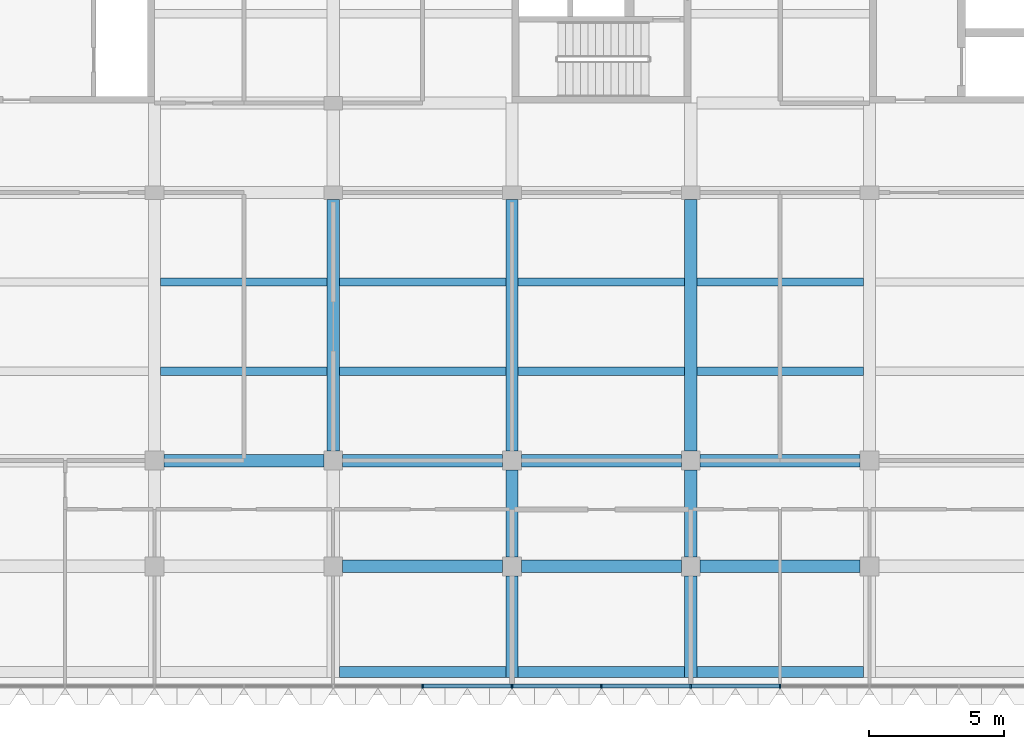
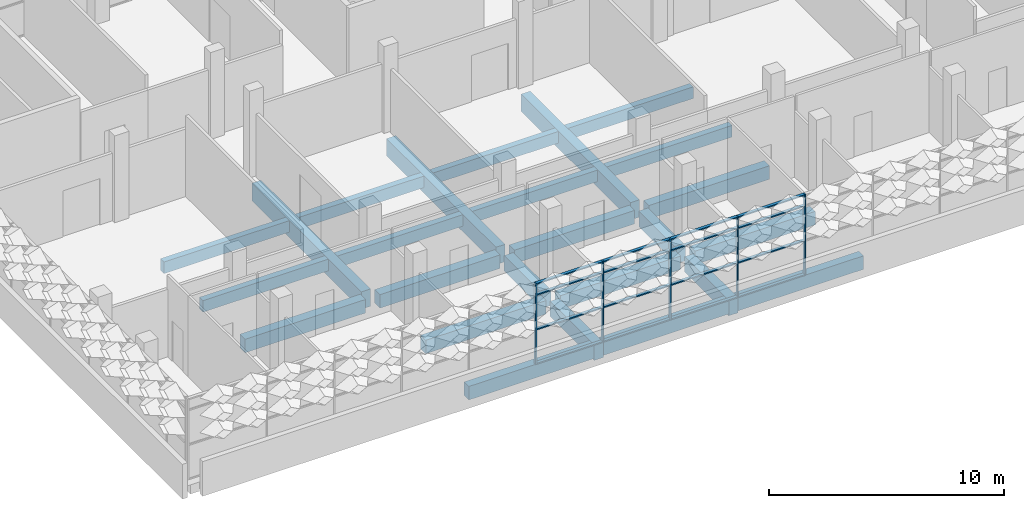
# One storey, part 3 of 85: 25 beams, 21 members, 1 element without a shape of its own.
"""IFC4 building model written with IfcOpenShell, lengths in metres."""

import ifcopenshell
import ifcopenshell.guid

model = None  # the IFC model being written
_history = None  # IfcOwnerHistory: only IFC2X3 demands one
_inside = {}  # id of a spatial element -> (the spatial element, [elements in it])
_under = {}  # id of a project, library or spatial element -> (it, [spatial elements below it])
_declared = {}  # id of a project -> (the project, [libraries it declares])
_typed = {}  # id of a type object -> (the type object, [elements of that type])
_made_of = {}  # id of a material, layer set ... -> (it, [elements and type objects made of it])


def new_model(schema):
    """Start an empty IFC model of exactly this schema.

    Asked for "IFC4X3", IfcOpenShell would pick the latest addendum, in which some entities
    have other attributes; the version numbers below select the first issue.
    IFC2X3 requires an IfcOwnerHistory on every rooted entity: one is made here for all.
    """
    global model, _history
    if schema == "IFC4X3":
        model = ifcopenshell.file(schema_version=(4, 3, 0, 0))
    else:
        model = ifcopenshell.file(schema=schema)
    _inside.clear()
    _under.clear()
    _declared.clear()
    _typed.clear()
    _made_of.clear()
    _history = None
    if model.schema == "IFC2X3":
        org = make("IfcOrganization", Name="unknown")
        user = make(
            "IfcPersonAndOrganization",
            ThePerson=make("IfcPerson", FamilyName="unknown"),
            TheOrganization=org,
        )
        app = make(
            "IfcApplication",
            ApplicationDeveloper=org,
            Version="unknown",
            ApplicationFullName="unknown",
            ApplicationIdentifier="unknown",
        )
        _history = make(
            "IfcOwnerHistory",
            OwningUser=user,
            OwningApplication=app,
            ChangeAction="ADDED",
            CreationDate=0,
        )
    return model


def make(cls, **values):
    """One entity of the class cls with the attributes given. An attribute that is None is left unset."""
    return model.create_entity(
        cls, **{name: value for name, value in values.items() if value is not None}
    )


def rooted(cls, **values):
    """An entity with a GlobalId (a new one), such as an element, a storey or a relation."""
    return make(cls, GlobalId=ifcopenshell.guid.new(), OwnerHistory=_history, **values)


def si_unit(unit_type, name, prefix=None):
    """IfcSIUnit, for example si_unit("LENGTHUNIT", "METRE", prefix="MILLI")."""
    return make("IfcSIUnit", UnitType=unit_type, Prefix=prefix, Name=name)


def assignment(units):
    """IfcUnitAssignment: the units of a project."""
    return None if units is None else make("IfcUnitAssignment", Units=units)


def point(xyz):
    """IfcCartesianPoint."""
    return None if xyz is None else make("IfcCartesianPoint", Coordinates=xyz)


def direction(xyz):
    """IfcDirection."""
    return None if xyz is None else make("IfcDirection", DirectionRatios=xyz)


def frame(location, z_axis=None, x_axis=None):
    """IfcAxis2Placement3D, a coordinate frame: its origin and axes. An axis left out is left unset."""
    return make(
        "IfcAxis2Placement3D",
        Location=point(location),
        Axis=direction(z_axis),
        RefDirection=direction(x_axis),
    )


def frame_2d(location, x_axis=None):
    """IfcAxis2Placement2D, a coordinate frame in the plane: its origin and x axis."""
    return make(
        "IfcAxis2Placement2D", Location=point(location), RefDirection=direction(x_axis)
    )


def origin():
    """The frame at (0, 0, 0) with its axes left unset."""
    return frame((0.0, 0.0, 0.0))


def origin_2d():
    """The frame at (0, 0) in the plane with its x axis left unset."""
    return frame_2d((0.0, 0.0))


def place(relative_to, where):
    """IfcLocalPlacement: puts the frame where relative to a parent placement (None: the world)."""
    return make(
        "IfcLocalPlacement", PlacementRelTo=relative_to, RelativePlacement=where
    )


def context(
    kind, dimensions, precision=None, world=None, true_north=None, identifier=None
):
    """IfcGeometricRepresentationContext, for example the 3D "Model" context."""
    return make(
        "IfcGeometricRepresentationContext",
        ContextIdentifier=identifier,
        ContextType=kind,
        CoordinateSpaceDimension=dimensions,
        Precision=precision,
        WorldCoordinateSystem=world,
        TrueNorth=true_north,
    )


def subcontext(parent, identifier, kind, view, scale=None):
    """IfcGeometricRepresentationSubContext, for example "Body" below "Model"."""
    return make(
        "IfcGeometricRepresentationSubContext",
        ContextIdentifier=identifier,
        ContextType=kind,
        ParentContext=parent,
        TargetScale=scale,
        TargetView=view,
    )


def project(units=None, contexts=None):
    """IfcProject with its units and contexts."""
    return rooted(
        "IfcProject",
        Name="project",
        RepresentationContexts=contexts,
        UnitsInContext=assignment(units),
    )


def spatial(cls, under=None, at=None, **own):
    """A site, building, storey or space (cls), placed at a placement, below another one or the project."""
    s = rooted(cls, ObjectPlacement=at, **own)
    if under is not None:
        _under.setdefault(under.id(), (under, []))[1].append(s)
    return s


def profile(cls, at=None, kind="AREA", **sizes):
    """A parametric profile (cls). Its sizes go by their IFC names, for example OverallWidth=200.0."""
    return make(cls, ProfileType=kind, Position=at, **sizes)


def rectangle(**sizes):
    """IfcRectangleProfileDef."""
    return profile("IfcRectangleProfileDef", **sizes)


def extrude(swept, where, along, depth):
    """IfcExtrudedAreaSolid: the profile swept, set in the frame where, extruded along a direction by depth."""
    return make(
        "IfcExtrudedAreaSolid",
        SweptArea=swept,
        Position=where,
        ExtrudedDirection=direction(along),
        Depth=depth,
    )


def shape(context_of_items, identifier, shape_type, items):
    """IfcShapeRepresentation: the items that make up one representation, for example the "Body"."""
    return make(
        "IfcShapeRepresentation",
        ContextOfItems=context_of_items,
        RepresentationIdentifier=identifier,
        RepresentationType=shape_type,
        Items=items,
    )


def material(Name=None, Category=None):
    """IfcMaterial."""
    return make("IfcMaterial", Name=Name, Category=Category)


def material_profile(
    of_material, cross_section, Name=None, Category=None, Priority=None
):
    """IfcMaterialProfile: a cross section and its material."""
    return make(
        "IfcMaterialProfile",
        Name=Name,
        Material=of_material,
        Profile=cross_section,
        Priority=Priority,
        Category=Category,
    )


def profile_set(profiles, Name=None, composite=None):
    """IfcMaterialProfileSet."""
    return make(
        "IfcMaterialProfileSet",
        Name=Name,
        MaterialProfiles=profiles,
        CompositeProfile=composite,
    )


def made_of(thing, what):
    """Note that an element or type object is made of a material, layer set ...; save() writes the relation."""
    if what is not None:
        _made_of.setdefault(what.id(), (what, []))[1].append(thing)
    return thing


def type_object(cls, material=None, **own):
    """A type object (cls), such as IfcWallType, which elements share."""
    return made_of(rooted(cls, **own), material)


def element(
    cls,
    number,
    at=None,
    inside=None,
    cuts=None,
    type_object=None,
    material=None,
    context=None,
    identifier="Body",
    shape_type=None,
    held_by="IfcProductDefinitionShape",
    body=None,
    shapes=None,
    **own,
):
    """One element of the class cls, such as IfcWall. Its Tag is "e" and its number.

    at: its placement. inside: the storey or other place that contains it. cuts: it is an
    opening in that element (IfcRelVoidsElement). A single representation is given by context,
    identifier, shape_type and body (its items); several are given by shapes. held_by: the class
    of the entity that holds the representations. save() writes the other relations.
    """
    e = rooted(cls, Tag="e%d" % number, ObjectPlacement=at, **own)
    if body is not None:
        shapes = [shape(context, identifier, shape_type, body)]
    if shapes is not None:
        e.Representation = make(held_by, Representations=shapes)
    if inside is not None:
        _inside.setdefault(inside.id(), (inside, []))[1].append(e)
    if cuts is not None:
        rooted(
            "IfcRelVoidsElement", RelatingBuildingElement=cuts, RelatedOpeningElement=e
        )
    if type_object is not None:
        _typed.setdefault(type_object.id(), (type_object, []))[1].append(e)
    return made_of(e, material)


def aggregate(whole, parts):
    """IfcRelAggregates: a whole, such as a stair, and the parts it consists of."""
    return rooted("IfcRelAggregates", RelatingObject=whole, RelatedObjects=parts)


def save(model, path):
    """Write the relations noted so far, then the file.

    IfcRelAggregates (storeys below a building ...), IfcRelContainedInSpatialStructure (elements
    in a storey), IfcRelDefinesByType, IfcRelAssociatesMaterial and IfcRelDeclares: one each for
    every whole, place, type object, material and project.
    """
    for whole, parts in _under.values():
        aggregate(whole, parts)
    for where, things in _inside.values():
        rooted(
            "IfcRelContainedInSpatialStructure",
            RelatedElements=things,
            RelatingStructure=where,
        )
    for kind, things in _typed.values():
        rooted("IfcRelDefinesByType", RelatedObjects=things, RelatingType=kind)
    for what, things in _made_of.values():
        rooted("IfcRelAssociatesMaterial", RelatedObjects=things, RelatingMaterial=what)
    for by, libraries in _declared.values():
        rooted("IfcRelDeclares", RelatingContext=by, RelatedDefinitions=libraries)
    model.write(path)


model = new_model("IFC4")

# Units and contexts
model_context = context("Model", 3, precision=1e-05, world=origin(), true_north=direction((0.0, 1.0)))
body_context = subcontext(model_context, "Body", "Model", "MODEL_VIEW")
ifc_project = project(units=[si_unit("LENGTHUNIT", "METRE"), si_unit("AREAUNIT", "SQUARE_METRE"), si_unit("VOLUMEUNIT", "CUBIC_METRE"), si_unit("PLANEANGLEUNIT", "RADIAN"), si_unit("MASSUNIT", "GRAM", prefix="KILO")], contexts=[model_context])

# Site, building, storey
site_placement = place(None, origin())
site = spatial("IfcSite", under=ifc_project, at=site_placement, CompositionType="ELEMENT")
building_placement = place(site_placement, origin())
building = spatial("IfcBuilding", under=site, at=building_placement, Name="Lantern Court Research Institute", CompositionType="ELEMENT")
storey_placement = place(building_placement, frame((0.0, 0.0, 18.89990234375)))
storey = spatial("IfcBuildingStorey", under=building, at=storey_placement, Name="L04", CompositionType="ELEMENT", Elevation=18.89990234375)

# Curtain wall, members
ifc_material_1 = material(Name="Aluminium alloy 6063-T6", Category="aluminium")
curtain_wall_type = type_object("IfcCurtainWallType", Name="Curtain wall 53400 x 4200 x 150 aluminium frame", PredefinedType="NOTDEFINED", material=ifc_material_1)
curtain_wall_placement = place(storey_placement, origin())
curtain_wall = element("IfcCurtainWall", 1, at=curtain_wall_placement, inside=storey, type_object=curtain_wall_type, Name="Curtain wall CW063", PredefinedType="NOTDEFINED")
ifc_material_2 = material(Name="Aluminium alloy 6063-T6", Category="aluminium")
ifc_material_profile_1 = material_profile(ifc_material_2, rectangle(XDim=0.14990234375, YDim=0.06005859375, at=origin_2d()), Name="Mullion 150 x 60")
ifc_profile_set_1 = profile_set([ifc_material_profile_1], Name="Aluminium alloy 6063-T6")
member_type_1 = type_object("IfcMemberType", Name="Mullion 150 x 60 aluminium", PredefinedType="MULLION", material=ifc_profile_set_1)
member_1_placement = place(storey_placement, frame((16.5, -8.324951171875, 0.0), z_axis=(0.0, 0.0, 1.0), x_axis=(0.0, -1.0, 0.0)))
member_1 = element("IfcMember", 2, at=member_1_placement, type_object=member_type_1, Name="CW063 mullion 6", PredefinedType="MULLION", context=body_context, shape_type="SweptSolid", body=[
    extrude(rectangle(XDim=0.14990234375, YDim=0.06005859375, at=origin_2d()), origin(), (0.0, 0.0, 1.0), 4.2001953125),
])
member_2_placement = place(storey_placement, frame((19.800048828125, -8.324951171875, 0.0), z_axis=(0.0, 0.0, 1.0), x_axis=(0.0, -1.0, 0.0)))
member_2 = element("IfcMember", 3, at=member_2_placement, type_object=member_type_1, Name="CW063 mullion 7", PredefinedType="MULLION", context=body_context, shape_type="SweptSolid", body=[
    extrude(rectangle(XDim=0.14990234375, YDim=0.06005859375, at=origin_2d()), origin(), (0.0, 0.0, 1.0), 4.2001953125),
])
member_3_placement = place(storey_placement, frame((23.10009765625, -8.324951171875, 0.0), z_axis=(0.0, 0.0, 1.0), x_axis=(0.0, -1.0, 0.0)))
member_3 = element("IfcMember", 4, at=member_3_placement, type_object=member_type_1, Name="CW063 mullion 8", PredefinedType="MULLION", context=body_context, shape_type="SweptSolid", body=[
    extrude(rectangle(XDim=0.14990234375, YDim=0.06005859375, at=origin_2d()), origin(), (0.0, 0.0, 1.0), 4.2001953125),
])
member_4_placement = place(storey_placement, frame((26.39990234375, -8.324951171875, 0.0), z_axis=(0.0, 0.0, 1.0), x_axis=(0.0, -1.0, 0.0)))
member_4 = element("IfcMember", 5, at=member_4_placement, type_object=member_type_1, Name="CW063 mullion 9", PredefinedType="MULLION", context=body_context, shape_type="SweptSolid", body=[
    extrude(rectangle(XDim=0.14990234375, YDim=0.06005859375, at=origin_2d()), origin(), (0.0, 0.0, 1.0), 4.2001953125),
])
member_5_placement = place(storey_placement, frame((29.699951171875, -8.324951171875, 0.0), z_axis=(0.0, 0.0, 1.0), x_axis=(0.0, -1.0, 0.0)))
member_5 = element("IfcMember", 6, at=member_5_placement, type_object=member_type_1, Name="CW063 mullion 10", PredefinedType="MULLION", context=body_context, shape_type="SweptSolid", body=[
    extrude(rectangle(XDim=0.14990234375, YDim=0.06005859375, at=origin_2d()), origin(), (0.0, 0.0, 1.0), 4.2001953125),
])

# Beams
ifc_material_3 = material(Name="Concrete C40/50", Category="concrete")
ifc_material_profile_2 = material_profile(ifc_material_3, rectangle(XDim=0.449951171875, YDim=0.699951171875, at=origin_2d()), Name="RC beam 450 x 700")
ifc_profile_set_2 = profile_set([ifc_material_profile_2], Name="Concrete C40/50")
beam_type_1 = type_object("IfcBeamType", Name="RC beam 450 x 700", PredefinedType="BEAM", material=ifc_profile_set_2)
beam_1_placement = place(storey_placement, frame((13.550048828125, -3.89990234375, -0.64990234375), z_axis=(1.0, 0.0, 0.0), x_axis=(0.0, 1.0, 0.0)))
element("IfcBeam", 7, at=beam_1_placement, inside=storey, type_object=beam_type_1, Name="Beam L04 grid Y/3-4", PredefinedType="BEAM", context=body_context, shape_type="SweptSolid", body=[
    extrude(rectangle(XDim=0.449951171875, YDim=0.699951171875, at=origin_2d()), origin(), (0.0, 0.0, 1.0), 5.89990234375),
])
beam_2_placement = place(storey_placement, frame((20.14990234375, -3.89990234375, -0.64990234375), z_axis=(1.0, 0.0, 0.0), x_axis=(0.0, 1.0, 0.0)))
element("IfcBeam", 8, at=beam_2_placement, inside=storey, type_object=beam_type_1, Name="Beam L04 grid Y/4-5", PredefinedType="BEAM", context=body_context, shape_type="SweptSolid", body=[
    extrude(rectangle(XDim=0.449951171875, YDim=0.699951171875, at=origin_2d()), origin(), (0.0, 0.0, 1.0), 5.900146484375),
])
beam_3_placement = place(storey_placement, frame((26.75, -3.89990234375, -0.64990234375), z_axis=(1.0, 0.0, 0.0), x_axis=(0.0, 1.0, 0.0)))
element("IfcBeam", 9, at=beam_3_placement, inside=storey, type_object=beam_type_1, Name="Beam L04 grid Y/5-6", PredefinedType="BEAM", context=body_context, shape_type="SweptSolid", body=[
    extrude(rectangle(XDim=0.449951171875, YDim=0.699951171875, at=origin_2d()), origin(), (0.0, 0.0, 1.0), 5.89990234375),
])
beam_4_placement = place(storey_placement, frame((6.949951171875, 0.0, -0.64990234375), z_axis=(1.0, 0.0, 0.0), x_axis=(0.0, 1.0, 0.0)))
element("IfcBeam", 10, at=beam_4_placement, inside=storey, type_object=beam_type_1, Name="Beam L04 grid A/2-3", PredefinedType="BEAM", context=body_context, shape_type="SweptSolid", body=[
    extrude(rectangle(XDim=0.449951171875, YDim=0.699951171875, at=origin_2d()), origin(), (0.0, 0.0, 1.0), 5.900146484375),
])
beam_5_placement = place(storey_placement, frame((13.550048828125, 0.0, -0.64990234375), z_axis=(1.0, 0.0, 0.0), x_axis=(0.0, 1.0, 0.0)))
element("IfcBeam", 11, at=beam_5_placement, inside=storey, type_object=beam_type_1, Name="Beam L04 grid A/3-4", PredefinedType="BEAM", context=body_context, shape_type="SweptSolid", body=[
    extrude(rectangle(XDim=0.449951171875, YDim=0.699951171875, at=origin_2d()), origin(), (0.0, 0.0, 1.0), 5.89990234375),
])
beam_6_placement = place(storey_placement, frame((20.14990234375, 0.0, -0.64990234375), z_axis=(1.0, 0.0, 0.0), x_axis=(0.0, 1.0, 0.0)))
element("IfcBeam", 12, at=beam_6_placement, inside=storey, type_object=beam_type_1, Name="Beam L04 grid A/4-5", PredefinedType="BEAM", context=body_context, shape_type="SweptSolid", body=[
    extrude(rectangle(XDim=0.449951171875, YDim=0.699951171875, at=origin_2d()), origin(), (0.0, 0.0, 1.0), 5.900146484375),
])
beam_7_placement = place(storey_placement, frame((26.75, 0.0, -0.64990234375), z_axis=(1.0, 0.0, 0.0), x_axis=(0.0, 1.0, 0.0)))
element("IfcBeam", 13, at=beam_7_placement, inside=storey, type_object=beam_type_1, Name="Beam L04 grid A/5-6", PredefinedType="BEAM", context=body_context, shape_type="SweptSolid", body=[
    extrude(rectangle(XDim=0.449951171875, YDim=0.699951171875, at=origin_2d()), origin(), (0.0, 0.0, 1.0), 5.89990234375),
])
ifc_material_4 = material(Name="Concrete C40/50", Category="concrete")
ifc_material_profile_3 = material_profile(ifc_material_4, rectangle(XDim=0.449951171875, YDim=0.800048828125, at=origin_2d()), Name="RC beam 450 x 800")
ifc_profile_set_3 = profile_set([ifc_material_profile_3], Name="Concrete C40/50")
beam_type_2 = type_object("IfcBeamType", Name="RC cantilever beam 450 x 800", PredefinedType="BEAM", material=ifc_profile_set_3)
for number, where, z_axis, x_axis, name in (
    (14, (19.800048828125, -4.25, -0.699951171875), (0.0, -1.0, 0.0), (1.0, 0.0, 0.0), "Cantilever beam L04 grid 4/Y-tip"),
    (15, (26.39990234375, -4.25, -0.699951171875), (0.0, -1.0, 0.0), (1.0, 0.0, 0.0), "Cantilever beam L04 grid 5/Y-tip"),
):
    element("IfcBeam", number, at=place(storey_placement, frame(where, z_axis=z_axis, x_axis=x_axis)), inside=storey, type_object=beam_type_2, Name=name, PredefinedType="BEAM", context=body_context, shape_type="SweptSolid", body=[
        extrude(rectangle(XDim=0.449951171875, YDim=0.800048828125, at=origin_2d()), origin(), (0.0, 0.0, 1.0), 3.75),
    ])
ifc_material_5 = material(Name="Concrete C40/50", Category="concrete")
ifc_material_profile_4 = material_profile(ifc_material_5, rectangle(XDim=0.39990234375, YDim=0.699951171875, at=origin_2d()), Name="RC beam 400 x 700")
ifc_profile_set_4 = profile_set([ifc_material_profile_4], Name="Concrete C40/50")
beam_type_3 = type_object("IfcBeamType", Name="RC edge beam 400 x 700", PredefinedType="BEAM", material=ifc_profile_set_4)
beam_8_placement = place(storey_placement, frame((13.425048828125, -7.800048828125, -0.64990234375), z_axis=(1.0, 0.0, 0.0), x_axis=(0.0, 1.0, 0.0)))
element("IfcBeam", 16, at=beam_8_placement, inside=storey, type_object=beam_type_3, Name="Edge beam L04 grid tip/3-4", PredefinedType="BEAM", context=body_context, shape_type="SweptSolid", body=[
    extrude(rectangle(XDim=0.39990234375, YDim=0.699951171875, at=origin_2d()), origin(), (0.0, 0.0, 1.0), 6.14990234375),
])
beam_9_placement = place(storey_placement, frame((20.02490234375, -7.800048828125, -0.64990234375), z_axis=(1.0, 0.0, 0.0), x_axis=(0.0, 1.0, 0.0)))
element("IfcBeam", 17, at=beam_9_placement, inside=storey, type_object=beam_type_3, Name="Edge beam L04 grid tip/4-5", PredefinedType="BEAM", context=body_context, shape_type="SweptSolid", body=[
    extrude(rectangle(XDim=0.39990234375, YDim=0.699951171875, at=origin_2d()), origin(), (0.0, 0.0, 1.0), 6.150146484375),
])
beam_10_placement = place(storey_placement, frame((26.625, -7.800048828125, -0.64990234375), z_axis=(1.0, 0.0, 0.0), x_axis=(0.0, 1.0, 0.0)))
element("IfcBeam", 18, at=beam_10_placement, inside=storey, type_object=beam_type_3, Name="Edge beam L04 grid tip/5-6", PredefinedType="BEAM", context=body_context, shape_type="SweptSolid", body=[
    extrude(rectangle(XDim=0.39990234375, YDim=0.699951171875, at=origin_2d()), origin(), (0.0, 0.0, 1.0), 6.14990234375),
])
ifc_material_6 = material(Name="Concrete C40/50", Category="concrete")
ifc_material_profile_5 = material_profile(ifc_material_6, rectangle(XDim=0.449951171875, YDim=0.800048828125, at=origin_2d()), Name="RC beam 450 x 800")
ifc_profile_set_5 = profile_set([ifc_material_profile_5], Name="Concrete C40/50")
beam_type_4 = type_object("IfcBeamType", Name="RC girder 450 x 800", PredefinedType="BEAM", material=ifc_profile_set_5)
for number, where, z_axis, x_axis, name in (
    (19, (19.800048828125, -3.550048828125, -0.699951171875), (0.0, 1.0, 0.0), (-1.0, 0.0, 0.0), "Girder L04 grid 4/Y-A"),
    (20, (26.39990234375, -3.550048828125, -0.699951171875), (0.0, 1.0, 0.0), (-1.0, 0.0, 0.0), "Girder L04 grid 5/Y-A"),
):
    element("IfcBeam", number, at=place(storey_placement, frame(where, z_axis=z_axis, x_axis=x_axis)), inside=storey, type_object=beam_type_4, Name=name, PredefinedType="BEAM", context=body_context, shape_type="SweptSolid", body=[
        extrude(rectangle(XDim=0.449951171875, YDim=0.800048828125, at=origin_2d()), origin(), (0.0, 0.0, 1.0), 3.199951171875),
    ])
ifc_material_7 = material(Name="Concrete C40/50", Category="concrete")
ifc_material_profile_6 = material_profile(ifc_material_7, rectangle(XDim=0.449951171875, YDim=0.89990234375, at=origin_2d()), Name="RC beam 450 x 900")
ifc_profile_set_6 = profile_set([ifc_material_profile_6], Name="Concrete C40/50")
beam_type_5 = type_object("IfcBeamType", Name="RC girder 450 x 900", PredefinedType="BEAM", material=ifc_profile_set_6)
for number, where, z_axis, x_axis, name in (
    (21, (13.199951171875, 0.35009765625, -0.75), (0.0, 1.0, 0.0), (-1.0, 0.0, 0.0), "Girder L04 grid 3/A-B"),
    (22, (19.800048828125, 0.35009765625, -0.75), (0.0, 1.0, 0.0), (-1.0, 0.0, 0.0), "Girder L04 grid 4/A-B"),
    (23, (26.39990234375, 0.35009765625, -0.75), (0.0, 1.0, 0.0), (-1.0, 0.0, 0.0), "Girder L04 grid 5/A-B"),
):
    element("IfcBeam", number, at=place(storey_placement, frame(where, z_axis=z_axis, x_axis=x_axis)), inside=storey, type_object=beam_type_5, Name=name, PredefinedType="BEAM", context=body_context, shape_type="SweptSolid", body=[
        extrude(rectangle(XDim=0.449951171875, YDim=0.89990234375, at=origin_2d()), origin(), (0.0, 0.0, 1.0), 9.2998046875),
    ])
ifc_material_8 = material(Name="Concrete C40/50", Category="concrete")
ifc_material_profile_7 = material_profile(ifc_material_8, rectangle(XDim=0.300048828125, YDim=0.60009765625, at=origin_2d()), Name="RC beam 300 x 600")
ifc_profile_set_7 = profile_set([ifc_material_profile_7], Name="Concrete C40/50")
beam_type_6 = type_object("IfcBeamType", Name="RC secondary beam 300 x 600", PredefinedType="BEAM", material=ifc_profile_set_7)
beam_11_placement = place(storey_placement, frame((6.824951171875, 3.300048828125, -0.599853515625), z_axis=(1.0, 0.0, 0.0), x_axis=(0.0, 1.0, 0.0)))
element("IfcBeam", 24, at=beam_11_placement, inside=storey, type_object=beam_type_6, Name="Secondary beam L04 grids 2-3 / A-B, line 1", PredefinedType="BEAM", context=body_context, shape_type="SweptSolid", body=[
    extrude(rectangle(XDim=0.300048828125, YDim=0.60009765625, at=origin_2d()), origin(), (0.0, 0.0, 1.0), 6.150146484375),
])
beam_12_placement = place(storey_placement, frame((13.425048828125, 3.300048828125, -0.599853515625), z_axis=(1.0, 0.0, 0.0), x_axis=(0.0, 1.0, 0.0)))
element("IfcBeam", 25, at=beam_12_placement, inside=storey, type_object=beam_type_6, Name="Secondary beam L04 grids 3-4 / A-B, line 1", PredefinedType="BEAM", context=body_context, shape_type="SweptSolid", body=[
    extrude(rectangle(XDim=0.300048828125, YDim=0.60009765625, at=origin_2d()), origin(), (0.0, 0.0, 1.0), 6.14990234375),
])
beam_13_placement = place(storey_placement, frame((20.02490234375, 3.300048828125, -0.599853515625), z_axis=(1.0, 0.0, 0.0), x_axis=(0.0, 1.0, 0.0)))
element("IfcBeam", 26, at=beam_13_placement, inside=storey, type_object=beam_type_6, Name="Secondary beam L04 grids 4-5 / A-B, line 1", PredefinedType="BEAM", context=body_context, shape_type="SweptSolid", body=[
    extrude(rectangle(XDim=0.300048828125, YDim=0.60009765625, at=origin_2d()), origin(), (0.0, 0.0, 1.0), 6.150146484375),
])
beam_14_placement = place(storey_placement, frame((26.625, 3.300048828125, -0.599853515625), z_axis=(1.0, 0.0, 0.0), x_axis=(0.0, 1.0, 0.0)))
element("IfcBeam", 27, at=beam_14_placement, inside=storey, type_object=beam_type_6, Name="Secondary beam L04 grids 5-6 / A-B, line 1", PredefinedType="BEAM", context=body_context, shape_type="SweptSolid", body=[
    extrude(rectangle(XDim=0.300048828125, YDim=0.60009765625, at=origin_2d()), origin(), (0.0, 0.0, 1.0), 6.14990234375),
])
beam_15_placement = place(storey_placement, frame((6.824951171875, 6.60009765625, -0.599853515625), z_axis=(1.0, 0.0, 0.0), x_axis=(0.0, 1.0, 0.0)))
element("IfcBeam", 28, at=beam_15_placement, inside=storey, type_object=beam_type_6, Name="Secondary beam L04 grids 2-3 / A-B, line 2", PredefinedType="BEAM", context=body_context, shape_type="SweptSolid", body=[
    extrude(rectangle(XDim=0.300048828125, YDim=0.60009765625, at=origin_2d()), origin(), (0.0, 0.0, 1.0), 6.150146484375),
])
beam_16_placement = place(storey_placement, frame((13.425048828125, 6.60009765625, -0.599853515625), z_axis=(1.0, 0.0, 0.0), x_axis=(0.0, 1.0, 0.0)))
element("IfcBeam", 29, at=beam_16_placement, inside=storey, type_object=beam_type_6, Name="Secondary beam L04 grids 3-4 / A-B, line 2", PredefinedType="BEAM", context=body_context, shape_type="SweptSolid", body=[
    extrude(rectangle(XDim=0.300048828125, YDim=0.60009765625, at=origin_2d()), origin(), (0.0, 0.0, 1.0), 6.14990234375),
])
beam_17_placement = place(storey_placement, frame((20.02490234375, 6.60009765625, -0.599853515625), z_axis=(1.0, 0.0, 0.0), x_axis=(0.0, 1.0, 0.0)))
element("IfcBeam", 30, at=beam_17_placement, inside=storey, type_object=beam_type_6, Name="Secondary beam L04 grids 4-5 / A-B, line 2", PredefinedType="BEAM", context=body_context, shape_type="SweptSolid", body=[
    extrude(rectangle(XDim=0.300048828125, YDim=0.60009765625, at=origin_2d()), origin(), (0.0, 0.0, 1.0), 6.150146484375),
])
beam_18_placement = place(storey_placement, frame((26.625, 6.60009765625, -0.599853515625), z_axis=(1.0, 0.0, 0.0), x_axis=(0.0, 1.0, 0.0)))
element("IfcBeam", 31, at=beam_18_placement, inside=storey, type_object=beam_type_6, Name="Secondary beam L04 grids 5-6 / A-B, line 2", PredefinedType="BEAM", context=body_context, shape_type="SweptSolid", body=[
    extrude(rectangle(XDim=0.300048828125, YDim=0.60009765625, at=origin_2d()), origin(), (0.0, 0.0, 1.0), 6.14990234375),
])

# Member
ifc_material_9 = material(Name="Aluminium alloy 6063-T6", Category="aluminium")
ifc_material_profile_8 = material_profile(ifc_material_9, rectangle(XDim=0.14990234375, YDim=0.06005859375, at=origin_2d()), Name="Transom 150 x 60")
ifc_profile_set_8 = profile_set([ifc_material_profile_8], Name="Aluminium alloy 6063-T6")
member_type_2 = type_object("IfcMemberType", Name="Transom 150 x 60 aluminium", PredefinedType="USERDEFINED", material=ifc_profile_set_8)
member_6_placement = place(storey_placement, frame((19.77001953125, -8.324951171875, 0.030029296875), z_axis=(-1.0, 0.0, 0.0), x_axis=(0.0, -1.0, 0.0)))
member_6 = element("IfcMember", 32, at=member_6_placement, type_object=member_type_2, Name="CW063 transom 6.1", ObjectType="TRANSOM", PredefinedType="USERDEFINED", context=body_context, shape_type="SweptSolid", body=[
    extrude(rectangle(XDim=0.14990234375, YDim=0.06005859375, at=origin_2d()), origin(), (0.0, 0.0, 1.0), 3.239990234375),
])

member_7_placement = place(storey_placement, frame((19.77001953125, -8.324951171875, 1.800048828125), z_axis=(-1.0, 0.0, 0.0), x_axis=(0.0, -1.0, 0.0)))
member_7 = element("IfcMember", 33, at=member_7_placement, type_object=member_type_2, Name="CW063 transom 6.2", ObjectType="TRANSOM", PredefinedType="USERDEFINED", context=body_context, shape_type="SweptSolid", body=[
    extrude(rectangle(XDim=0.14990234375, YDim=0.06005859375, at=origin_2d()), origin(), (0.0, 0.0, 1.0), 3.239990234375),
])

member_8_placement = place(storey_placement, frame((19.77001953125, -8.324951171875, 3.60009765625), z_axis=(-1.0, 0.0, 0.0), x_axis=(0.0, -1.0, 0.0)))
member_8 = element("IfcMember", 34, at=member_8_placement, type_object=member_type_2, Name="CW063 transom 6.3", ObjectType="TRANSOM", PredefinedType="USERDEFINED", context=body_context, shape_type="SweptSolid", body=[
    extrude(rectangle(XDim=0.14990234375, YDim=0.06005859375, at=origin_2d()), origin(), (0.0, 0.0, 1.0), 3.239990234375),
])

member_9_placement = place(storey_placement, frame((19.77001953125, -8.324951171875, 4.170166015625), z_axis=(-1.0, 0.0, 0.0), x_axis=(0.0, -1.0, 0.0)))
member_9 = element("IfcMember", 35, at=member_9_placement, type_object=member_type_2, Name="CW063 transom 6.4", ObjectType="TRANSOM", PredefinedType="USERDEFINED", context=body_context, shape_type="SweptSolid", body=[
    extrude(rectangle(XDim=0.14990234375, YDim=0.06005859375, at=origin_2d()), origin(), (0.0, 0.0, 1.0), 3.239990234375),
])

member_10_placement = place(storey_placement, frame((23.070068359375, -8.324951171875, 0.030029296875), z_axis=(-1.0, 0.0, 0.0), x_axis=(0.0, -1.0, 0.0)))
member_10 = element("IfcMember", 36, at=member_10_placement, type_object=member_type_2, Name="CW063 transom 7.1", ObjectType="TRANSOM", PredefinedType="USERDEFINED", context=body_context, shape_type="SweptSolid", body=[
    extrude(rectangle(XDim=0.14990234375, YDim=0.06005859375, at=origin_2d()), origin(), (0.0, 0.0, 1.0), 3.239990234375),
])

member_11_placement = place(storey_placement, frame((23.070068359375, -8.324951171875, 1.800048828125), z_axis=(-1.0, 0.0, 0.0), x_axis=(0.0, -1.0, 0.0)))
member_11 = element("IfcMember", 37, at=member_11_placement, type_object=member_type_2, Name="CW063 transom 7.2", ObjectType="TRANSOM", PredefinedType="USERDEFINED", context=body_context, shape_type="SweptSolid", body=[
    extrude(rectangle(XDim=0.14990234375, YDim=0.06005859375, at=origin_2d()), origin(), (0.0, 0.0, 1.0), 3.239990234375),
])

member_12_placement = place(storey_placement, frame((23.070068359375, -8.324951171875, 3.60009765625), z_axis=(-1.0, 0.0, 0.0), x_axis=(0.0, -1.0, 0.0)))
member_12 = element("IfcMember", 38, at=member_12_placement, type_object=member_type_2, Name="CW063 transom 7.3", ObjectType="TRANSOM", PredefinedType="USERDEFINED", context=body_context, shape_type="SweptSolid", body=[
    extrude(rectangle(XDim=0.14990234375, YDim=0.06005859375, at=origin_2d()), origin(), (0.0, 0.0, 1.0), 3.239990234375),
])

member_13_placement = place(storey_placement, frame((23.070068359375, -8.324951171875, 4.170166015625), z_axis=(-1.0, 0.0, 0.0), x_axis=(0.0, -1.0, 0.0)))
member_13 = element("IfcMember", 39, at=member_13_placement, type_object=member_type_2, Name="CW063 transom 7.4", ObjectType="TRANSOM", PredefinedType="USERDEFINED", context=body_context, shape_type="SweptSolid", body=[
    extrude(rectangle(XDim=0.14990234375, YDim=0.06005859375, at=origin_2d()), origin(), (0.0, 0.0, 1.0), 3.239990234375),
])

member_14_placement = place(storey_placement, frame((26.3701171875, -8.324951171875, 0.030029296875), z_axis=(-1.0, 0.0, 0.0), x_axis=(0.0, -1.0, 0.0)))
member_14 = element("IfcMember", 40, at=member_14_placement, type_object=member_type_2, Name="CW063 transom 8.1", ObjectType="TRANSOM", PredefinedType="USERDEFINED", context=body_context, shape_type="SweptSolid", body=[
    extrude(rectangle(XDim=0.14990234375, YDim=0.06005859375, at=origin_2d()), origin(), (0.0, 0.0, 1.0), 3.240234375),
])

member_15_placement = place(storey_placement, frame((26.3701171875, -8.324951171875, 1.800048828125), z_axis=(-1.0, 0.0, 0.0), x_axis=(0.0, -1.0, 0.0)))
member_15 = element("IfcMember", 41, at=member_15_placement, type_object=member_type_2, Name="CW063 transom 8.2", ObjectType="TRANSOM", PredefinedType="USERDEFINED", context=body_context, shape_type="SweptSolid", body=[
    extrude(rectangle(XDim=0.14990234375, YDim=0.06005859375, at=origin_2d()), origin(), (0.0, 0.0, 1.0), 3.240234375),
])

member_16_placement = place(storey_placement, frame((26.3701171875, -8.324951171875, 3.60009765625), z_axis=(-1.0, 0.0, 0.0), x_axis=(0.0, -1.0, 0.0)))
member_16 = element("IfcMember", 42, at=member_16_placement, type_object=member_type_2, Name="CW063 transom 8.3", ObjectType="TRANSOM", PredefinedType="USERDEFINED", context=body_context, shape_type="SweptSolid", body=[
    extrude(rectangle(XDim=0.14990234375, YDim=0.06005859375, at=origin_2d()), origin(), (0.0, 0.0, 1.0), 3.240234375),
])

member_17_placement = place(storey_placement, frame((26.3701171875, -8.324951171875, 4.170166015625), z_axis=(-1.0, 0.0, 0.0), x_axis=(0.0, -1.0, 0.0)))
member_17 = element("IfcMember", 43, at=member_17_placement, type_object=member_type_2, Name="CW063 transom 8.4", ObjectType="TRANSOM", PredefinedType="USERDEFINED", context=body_context, shape_type="SweptSolid", body=[
    extrude(rectangle(XDim=0.14990234375, YDim=0.06005859375, at=origin_2d()), origin(), (0.0, 0.0, 1.0), 3.240234375),
])

member_18_placement = place(storey_placement, frame((29.669921875, -8.324951171875, 0.030029296875), z_axis=(-1.0, 0.0, 0.0), x_axis=(0.0, -1.0, 0.0)))
member_18 = element("IfcMember", 44, at=member_18_placement, type_object=member_type_2, Name="CW063 transom 9.1", ObjectType="TRANSOM", PredefinedType="USERDEFINED", context=body_context, shape_type="SweptSolid", body=[
    extrude(rectangle(XDim=0.14990234375, YDim=0.06005859375, at=origin_2d()), origin(), (0.0, 0.0, 1.0), 3.239990234375),
])

member_19_placement = place(storey_placement, frame((29.669921875, -8.324951171875, 1.800048828125), z_axis=(-1.0, 0.0, 0.0), x_axis=(0.0, -1.0, 0.0)))
member_19 = element("IfcMember", 45, at=member_19_placement, type_object=member_type_2, Name="CW063 transom 9.2", ObjectType="TRANSOM", PredefinedType="USERDEFINED", context=body_context, shape_type="SweptSolid", body=[
    extrude(rectangle(XDim=0.14990234375, YDim=0.06005859375, at=origin_2d()), origin(), (0.0, 0.0, 1.0), 3.239990234375),
])

member_20_placement = place(storey_placement, frame((29.669921875, -8.324951171875, 3.60009765625), z_axis=(-1.0, 0.0, 0.0), x_axis=(0.0, -1.0, 0.0)))
member_20 = element("IfcMember", 46, at=member_20_placement, type_object=member_type_2, Name="CW063 transom 9.3", ObjectType="TRANSOM", PredefinedType="USERDEFINED", context=body_context, shape_type="SweptSolid", body=[
    extrude(rectangle(XDim=0.14990234375, YDim=0.06005859375, at=origin_2d()), origin(), (0.0, 0.0, 1.0), 3.239990234375),
])

member_21_placement = place(storey_placement, frame((29.669921875, -8.324951171875, 4.170166015625), z_axis=(-1.0, 0.0, 0.0), x_axis=(0.0, -1.0, 0.0)))
member_21 = element("IfcMember", 47, at=member_21_placement, type_object=member_type_2, Name="CW063 transom 9.4", ObjectType="TRANSOM", PredefinedType="USERDEFINED", context=body_context, shape_type="SweptSolid", body=[
    extrude(rectangle(XDim=0.14990234375, YDim=0.06005859375, at=origin_2d()), origin(), (0.0, 0.0, 1.0), 3.239990234375),
])

aggregate(curtain_wall, [member_1, member_2, member_3, member_4, member_5, member_6, member_7, member_8, member_9, member_10, member_11, member_12, member_13, member_14, member_15, member_16, member_17, member_18, member_19, member_20, member_21])

save(model, "model.ifc")
